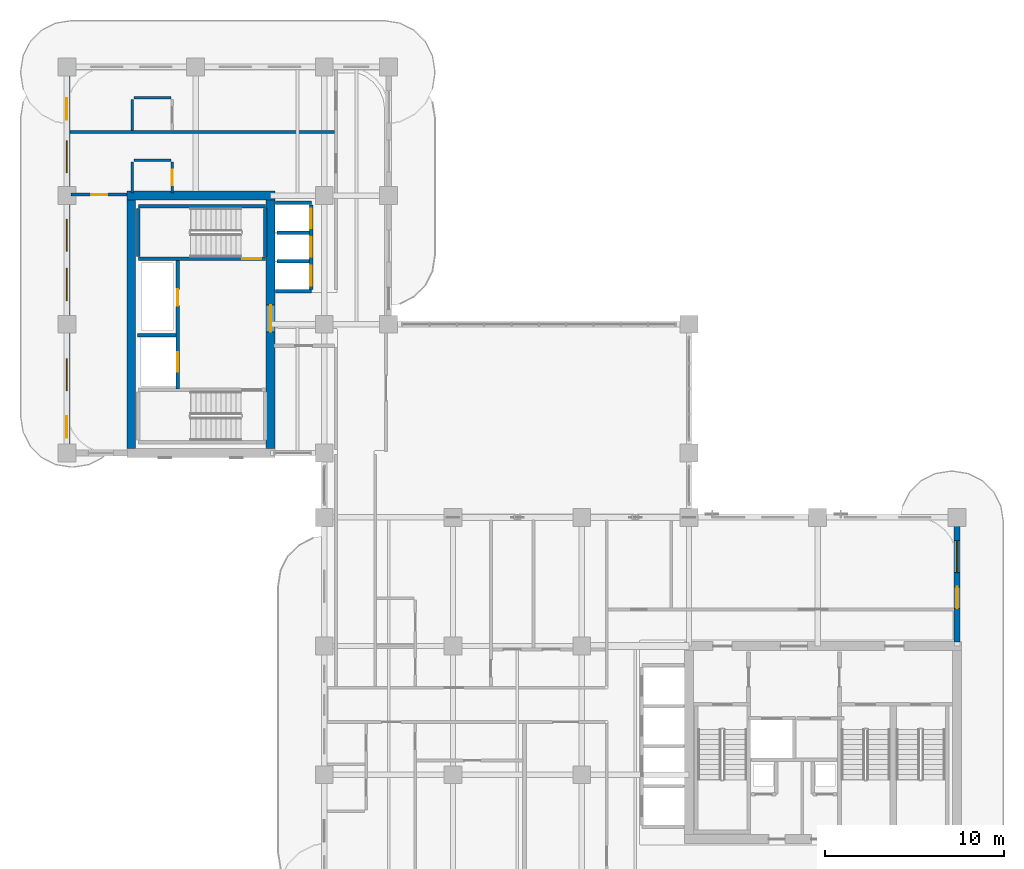
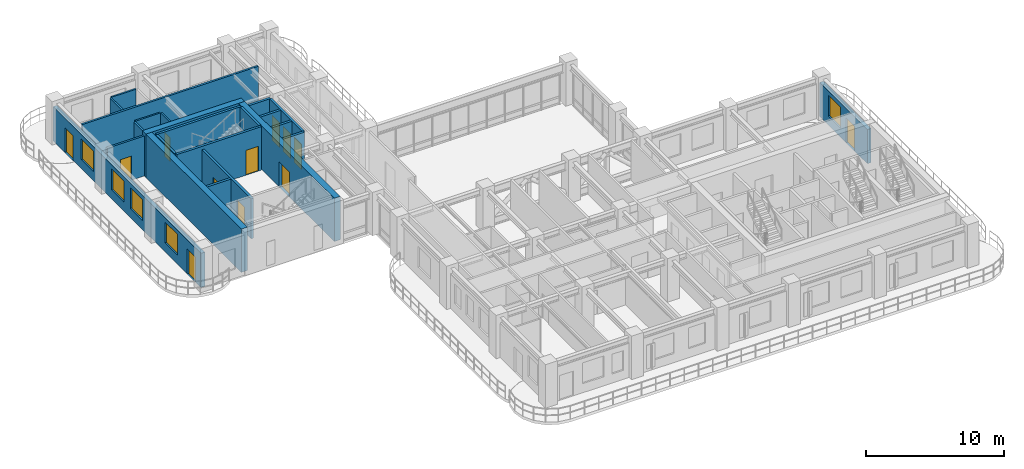
# One storey, part 12 of 17: 23 walls, 12 doors, 5 windows, 17 openings.
"""IFC4 building model written with IfcOpenShell, lengths in metres."""

from ifc_helpers import new_model, si_unit, derived_unit, direction, frame, frame_2d, origin, place, context, subcontext, project, spatial, rectangle, extrude, source, transform, mapped, material, layer, layer_set, type_object, type_shapes, element, fill, save


model = new_model("IFC4")

# Units and contexts
model_context = context("Model", 3, precision=1e-05, world=origin(), true_north=direction((0.0, 1.0)))
body_context = subcontext(model_context, "Body", "Model", "MODEL_VIEW")
ifc_project = project(units=[si_unit("LENGTHUNIT", "METRE"), si_unit("AREAUNIT", "SQUARE_METRE"), si_unit("VOLUMEUNIT", "CUBIC_METRE"), si_unit("PLANEANGLEUNIT", "RADIAN"), si_unit("MASSUNIT", "GRAM", prefix="KILO"), si_unit("THERMODYNAMICTEMPERATUREUNIT", "KELVIN"), si_unit("POWERUNIT", "WATT"), derived_unit("THERMALTRANSMITTANCEUNIT", [(si_unit("POWERUNIT", "WATT"), 1), (si_unit("AREAUNIT", "SQUARE_METRE"), -1), (si_unit("THERMODYNAMICTEMPERATUREUNIT", "KELVIN"), -1)])], contexts=[model_context])

# Site, building, storey
site_placement = place(None, origin())
site = spatial("IfcSite", under=ifc_project, at=site_placement, CompositionType="ELEMENT")
building_placement = place(site_placement, origin())
building = spatial("IfcBuilding", under=site, at=building_placement, Name="Zahravan Archway Hotel and Residences", CompositionType="ELEMENT")
storey_placement = place(building_placement, frame((0.0, 0.0, 192.64990234375)))
storey = spatial("IfcBuildingStorey", under=building, at=storey_placement, Name="L48", CompositionType="ELEMENT", Elevation=192.64990234375)

# Walls
ifc_material_1 = material(Name="Concrete C60/75", Category="concrete")
ifc_layer_1 = layer(ifc_material_1, 0.5, Name="Concrete C60/75", Category="concrete")
ifc_layer_set_1 = layer_set([ifc_layer_1], Name="Concrete C60/75")
wall_type_1 = type_object("IfcWallType", Name="CW-CORE-500", PredefinedType="SHEAR", material=ifc_layer_set_1)
wall_1_placement = place(storey_placement, frame((3.35009765625, 39.60009765625, 0.0), z_axis=(0.0, 0.0, 1.0), x_axis=(1.0, 0.0, 0.0)))
element("IfcWall", 1, at=wall_1_placement, inside=storey, type_object=wall_type_1, Name="L48 Core B Shear N Wall 500 mm", PredefinedType="SHEAR", context=body_context, shape_type="SweptSolid", body=[
    extrude(rectangle(XDim=8.2998046875, YDim=0.5, at=frame_2d((4.14990234375, 0.0))), origin(), (0.0, 0.0, 1.0), 3.85009765625),
])
wall_2_placement = place(storey_placement, frame((3.60009765625, 25.449951171875, 0.0), z_axis=(0.0, 0.0, 1.0), x_axis=(0.0, 1.0, 0.0)))
element("IfcWall", 2, at=wall_2_placement, inside=storey, type_object=wall_type_1, Name="L48 Core B Shear W Wall 500 mm", PredefinedType="SHEAR", context=body_context, shape_type="SweptSolid", body=[
    extrude(rectangle(XDim=13.900146484375, YDim=0.5, at=frame_2d((6.9501953125, 0.0))), origin(), (0.0, 0.0, 1.0), 3.85009765625),
])

# Wall, opening, door
wall_3_placement = place(storey_placement, frame((11.39990234375, 25.449951171875, 0.0), z_axis=(0.0, 0.0, 1.0), x_axis=(0.0, 1.0, 0.0)))
wall_3 = element("IfcWall", 3, at=wall_3_placement, inside=storey, type_object=wall_type_1, Name="L48 Core B Shear E Wall 500 mm", PredefinedType="SHEAR", context=body_context, shape_type="SweptSolid", body=[
    extrude(rectangle(XDim=13.900146484375, YDim=0.5, at=frame_2d((6.9501953125, 0.0))), origin(), (0.0, 0.0, 1.0), 3.85009765625),
])
opening_1_placement = place(wall_3_placement, frame((6.52001953125, 0.0, 0.0)))
opening_1 = element("IfcOpeningElement", 4, at=opening_1_placement, cuts=wall_3, Name="Opening FD-L1", PredefinedType="OPENING", context=body_context, shape_type="SweptSolid", body=[
    extrude(rectangle(XDim=1.5, YDim=2.199951171875, at=frame_2d((0.75, 1.10009765625))), frame((0.0, 0.260009765625, 0.0), z_axis=(0.0, -1.0, 0.0), x_axis=(1.0, 0.0, 0.0)), (0.0, 0.0, 1.0), 0.52001953125),
])
ifc_material_2 = material(Name="Fire-Rated Painted Steel", Category="steel")
door_type_1 = type_object("IfcDoorType", Name="FD-LOBBY-1500", OperationType="DOUBLE_DOOR_SINGLE_SWING", PredefinedType="DOOR", material=ifc_material_2)
shared_shape_1 = source(origin(), body_context, "Body", "SweptSolid", [
    extrude(rectangle(XDim=1.5, YDim=2.199951171875, at=frame_2d((0.75, 1.10009765625))), frame((0.0, 0.02490234375, 0.0), z_axis=(0.0, -1.0, 0.0), x_axis=(1.0, 0.0, 0.0)), (0.0, 0.0, 1.0), 0.050048828125),
])
type_shapes(door_type_1, [shared_shape_1])
door_1_placement = place(opening_1_placement, origin())
door_1 = element("IfcDoor", 5, at=door_1_placement, inside=storey, type_object=door_type_1, Name="L48 Core B FSAE Lobby Door", OperationType="DOUBLE_DOOR_SINGLE_SWING", OverallHeight=2.199951171875, OverallWidth=1.5, PredefinedType="DOOR", context=body_context, shape_type="MappedRepresentation", body=[
    mapped(shared_shape_1, transform((0.0, 0.0, 0.0), scale=1.0)),
])
fill(opening_1, door_1)

# Wall, openings, door, window
ifc_material_3 = material(Name="Agra Buff Sandstone & Insulated Backup", Category="masonry")
ifc_layer_2 = layer(ifc_material_3, 0.320068359375, Name="Agra Buff Sandstone & Insulated Backup", Category="masonry")
ifc_layer_set_2 = layer_set([ifc_layer_2], Name="Agra Buff Sandstone & Insulated Backup")
wall_type_2 = type_object("IfcWallType", Name="EW-SAND-320", PredefinedType="SOLIDWALL", material=ifc_layer_set_2)
wall_4_placement = place(storey_placement, frame((49.800048828125, 14.6201171875, 0.0), z_axis=(0.0, 0.0, 1.0), x_axis=(0.0, 1.0, 0.0)))
wall_4 = element("IfcWall", 6, at=wall_4_placement, inside=storey, type_object=wall_type_2, Name="L48 Exterior Sandstone Wall WA-EN", PredefinedType="SOLIDWALL", context=body_context, shape_type="SweptSolid", body=[
    extrude(rectangle(XDim=6.929931640625, YDim=0.320068359375, at=frame_2d((3.46484375, 0.0))), origin(), (0.0, 0.0, 1.0), 3.03515625),
])
opening_2_placement = place(wall_4_placement, frame((1.888916015625, 0.0, 0.0)))
opening_2 = element("IfcOpeningElement", 7, at=opening_2_placement, cuts=wall_4, Name="Opening ED-BL1", PredefinedType="OPENING", context=body_context, shape_type="SweptSolid", body=[
    extrude(rectangle(XDim=1.199951171875, YDim=2.199951171875, at=frame_2d((0.60009765625, 1.10009765625))), frame((0.0, 0.169921875, 0.0), z_axis=(0.0, -1.0, 0.0), x_axis=(1.0, 0.0, 0.0)), (0.0, 0.0, 1.0), 0.340087890625),
])
opening_3_placement = place(wall_4_placement, frame((3.884033203125, 0.0, 0.800048828125)))
opening_3 = element("IfcOpeningElement", 8, at=opening_3_placement, cuts=wall_4, Name="Opening W-02", PredefinedType="OPENING", context=body_context, shape_type="SweptSolid", body=[
    extrude(rectangle(XDim=1.800048828125, YDim=1.85009765625, at=frame_2d((0.89990234375, 0.925048828125))), frame((0.0, 0.169921875, 0.0), z_axis=(0.0, -1.0, 0.0), x_axis=(1.0, 0.0, 0.0)), (0.0, 0.0, 1.0), 0.340087890625),
])
ifc_material_4 = material(Name="Bronze-Anodized Glazed Aluminium", Category="aluminium")
door_type_2 = type_object("IfcDoorType", Name="ED-BALC-1200", OperationType="SLIDING_TO_LEFT", PredefinedType="DOOR", material=ifc_material_4)
shared_shape_2 = source(origin(), body_context, "Body", "SweptSolid", [
    extrude(rectangle(XDim=1.199951171875, YDim=2.199951171875, at=frame_2d((0.60009765625, 1.10009765625))), frame((0.0, 0.02490234375, 0.0), z_axis=(0.0, -1.0, 0.0), x_axis=(1.0, 0.0, 0.0)), (0.0, 0.0, 1.0), 0.050048828125),
])
type_shapes(door_type_2, [shared_shape_2])
door_2_placement = place(opening_2_placement, origin())
door_2 = element("IfcDoor", 9, at=door_2_placement, inside=storey, type_object=door_type_2, Name="L48 Outdoor Access Sliding Door (SLB-BAL-L48-EA)", OperationType="SLIDING_TO_LEFT", OverallHeight=2.199951171875, OverallWidth=1.199951171875, PredefinedType="DOOR", context=body_context, shape_type="MappedRepresentation", body=[
    mapped(shared_shape_2, transform((0.0, 0.0, 0.0), scale=1.0)),
])
fill(opening_2, door_2)
ifc_material_5 = material(Name="Bronze-Anodized Thermal-Break Aluminium & Low-E Glass", Category="aluminium")
window_type = type_object("IfcWindowType", Name="WIN-TWR-1800", PartitioningType="DOUBLE_PANEL_VERTICAL", PredefinedType="WINDOW", material=ifc_material_5)
shared_shape_3 = source(origin(), body_context, "Body", "SweptSolid", [
    extrude(rectangle(XDim=1.800048828125, YDim=1.85009765625, at=frame_2d((0.89990234375, 0.925048828125))), frame((0.0, 0.030029296875, 0.0), z_axis=(0.0, -1.0, 0.0), x_axis=(1.0, 0.0, 0.0)), (0.0, 0.0, 1.0), 0.06005859375),
])
type_shapes(window_type, [shared_shape_3])
window_1_placement = place(opening_3_placement, origin())
window_1 = element("IfcWindow", 10, at=window_1_placement, inside=storey, type_object=window_type, Name="L48 Loggia Window 10", OverallHeight=1.85009765625, OverallWidth=1.800048828125, PartitioningType="DOUBLE_PANEL_VERTICAL", PredefinedType="WINDOW", context=body_context, shape_type="MappedRepresentation", body=[
    mapped(shared_shape_3, transform((0.0, 0.0, 0.0), scale=1.0)),
])
fill(opening_3, window_1)

# Wall, openings, doors, windows
wall_5_placement = place(storey_placement, frame((0.0, 25.25, 0.0), z_axis=(0.0, 0.0, 1.0), x_axis=(0.0, 1.0, 0.0)))
wall_5 = element("IfcWall", 11, at=wall_5_placement, inside=storey, type_object=wall_type_2, Name="L48 Exterior Sandstone Wall WB-W", PredefinedType="SOLIDWALL", context=body_context, shape_type="SweptSolid", body=[
    extrude(rectangle(XDim=21.5, YDim=0.320068359375, at=frame_2d((10.75, 0.0))), origin(), (0.0, 0.0, 1.0), 3.03515625),
])
opening_4_placement = place(wall_5_placement, frame((18.60693359375, 0.0, 0.0)))
opening_4 = element("IfcOpeningElement", 12, at=opening_4_placement, cuts=wall_5, Name="Opening ED-BL1", PredefinedType="OPENING", context=body_context, shape_type="SweptSolid", body=[
    extrude(rectangle(XDim=1.199951171875, YDim=2.199951171875, at=frame_2d((0.60009765625, 1.10009765625))), frame((0.0, 0.169921875, 0.0), z_axis=(0.0, -1.0, 0.0), x_axis=(1.0, 0.0, 0.0)), (0.0, 0.0, 1.0), 0.340087890625),
])
opening_5_placement = place(wall_5_placement, frame((0.800048828125, 0.0, 0.0)))
opening_5 = element("IfcOpeningElement", 13, at=opening_5_placement, cuts=wall_5, Name="Opening ED-BL1", PredefinedType="OPENING", context=body_context, shape_type="SweptSolid", body=[
    extrude(rectangle(XDim=1.199951171875, YDim=2.199951171875, at=frame_2d((0.60009765625, 1.10009765625))), frame((0.0, 0.169921875, 0.0), z_axis=(0.0, -1.0, 0.0), x_axis=(1.0, 0.0, 0.0)), (0.0, 0.0, 1.0), 0.340087890625),
])
opening_6_placement = place(wall_5_placement, frame((3.425048828125, 0.0, 0.800048828125)))
opening_6 = element("IfcOpeningElement", 14, at=opening_6_placement, cuts=wall_5, Name="Opening W-02", PredefinedType="OPENING", context=body_context, shape_type="SweptSolid", body=[
    extrude(rectangle(XDim=1.800048828125, YDim=1.85009765625, at=frame_2d((0.89990234375, 0.925048828125))), frame((0.0, 0.169921875, 0.0), z_axis=(0.0, -1.0, 0.0), x_axis=(1.0, 0.0, 0.0)), (0.0, 0.0, 1.0), 0.340087890625),
])
opening_7_placement = place(wall_5_placement, frame((8.47509765625, 0.0, 0.800048828125)))
opening_7 = element("IfcOpeningElement", 15, at=opening_7_placement, cuts=wall_5, Name="Opening W-02", PredefinedType="OPENING", context=body_context, shape_type="SweptSolid", body=[
    extrude(rectangle(XDim=1.800048828125, YDim=1.85009765625, at=frame_2d((0.89990234375, 0.925048828125))), frame((0.0, 0.169921875, 0.0), z_axis=(0.0, -1.0, 0.0), x_axis=(1.0, 0.0, 0.0)), (0.0, 0.0, 1.0), 0.340087890625),
])
opening_8_placement = place(wall_5_placement, frame((11.22509765625, 0.0, 0.800048828125)))
opening_8 = element("IfcOpeningElement", 16, at=opening_8_placement, cuts=wall_5, Name="Opening W-02", PredefinedType="OPENING", context=body_context, shape_type="SweptSolid", body=[
    extrude(rectangle(XDim=1.800048828125, YDim=1.85009765625, at=frame_2d((0.89990234375, 0.925048828125))), frame((0.0, 0.169921875, 0.0), z_axis=(0.0, -1.0, 0.0), x_axis=(1.0, 0.0, 0.0)), (0.0, 0.0, 1.0), 0.340087890625),
])
opening_9_placement = place(wall_5_placement, frame((15.62109375, 0.0, 0.800048828125)))
opening_9 = element("IfcOpeningElement", 17, at=opening_9_placement, cuts=wall_5, Name="Opening W-02", PredefinedType="OPENING", context=body_context, shape_type="SweptSolid", body=[
    extrude(rectangle(XDim=1.800048828125, YDim=1.85009765625, at=frame_2d((0.89990234375, 0.925048828125))), frame((0.0, 0.169921875, 0.0), z_axis=(0.0, -1.0, 0.0), x_axis=(1.0, 0.0, 0.0)), (0.0, 0.0, 1.0), 0.340087890625),
])
door_3_placement = place(opening_4_placement, origin())
door_3 = element("IfcDoor", 18, at=door_3_placement, inside=storey, type_object=door_type_2, Name="L48 Outdoor Access Sliding Door (SLB-BAL-L48-NB)", OperationType="SLIDING_TO_LEFT", OverallHeight=2.199951171875, OverallWidth=1.199951171875, PredefinedType="DOOR", context=body_context, shape_type="MappedRepresentation", body=[
    mapped(shared_shape_2, transform((0.0, 0.0, 0.0), scale=1.0)),
])
fill(opening_4, door_3)
door_4_placement = place(opening_5_placement, origin())
door_4 = element("IfcDoor", 19, at=door_4_placement, inside=storey, type_object=door_type_2, Name="L48 Outdoor Access Sliding Door (SLB-BAL-L48-WB)", OperationType="SLIDING_TO_LEFT", OverallHeight=2.199951171875, OverallWidth=1.199951171875, PredefinedType="DOOR", context=body_context, shape_type="MappedRepresentation", body=[
    mapped(shared_shape_2, transform((0.0, 0.0, 0.0), scale=1.0)),
])
fill(opening_5, door_4)
window_2_placement = place(opening_6_placement, origin())
window_2 = element("IfcWindow", 20, at=window_2_placement, inside=storey, type_object=window_type, Name="L48 Loggia Window 21", OverallHeight=1.85009765625, OverallWidth=1.800048828125, PartitioningType="DOUBLE_PANEL_VERTICAL", PredefinedType="WINDOW", context=body_context, shape_type="MappedRepresentation", body=[
    mapped(shared_shape_3, transform((0.0, 0.0, 0.0), scale=1.0)),
])
fill(opening_6, window_2)
window_3_placement = place(opening_7_placement, origin())
window_3 = element("IfcWindow", 21, at=window_3_placement, inside=storey, type_object=window_type, Name="L48 Loggia Window 22", OverallHeight=1.85009765625, OverallWidth=1.800048828125, PartitioningType="DOUBLE_PANEL_VERTICAL", PredefinedType="WINDOW", context=body_context, shape_type="MappedRepresentation", body=[
    mapped(shared_shape_3, transform((0.0, 0.0, 0.0), scale=1.0)),
])
fill(opening_7, window_3)
window_4_placement = place(opening_8_placement, origin())
window_4 = element("IfcWindow", 22, at=window_4_placement, inside=storey, type_object=window_type, Name="L48 Loggia Window 23", OverallHeight=1.85009765625, OverallWidth=1.800048828125, PartitioningType="DOUBLE_PANEL_VERTICAL", PredefinedType="WINDOW", context=body_context, shape_type="MappedRepresentation", body=[
    mapped(shared_shape_3, transform((0.0, 0.0, 0.0), scale=1.0)),
])
fill(opening_8, window_4)
window_5_placement = place(opening_9_placement, origin())
window_5 = element("IfcWindow", 23, at=window_5_placement, inside=storey, type_object=window_type, Name="L48 Loggia Window 24", OverallHeight=1.85009765625, OverallWidth=1.800048828125, PartitioningType="DOUBLE_PANEL_VERTICAL", PredefinedType="WINDOW", context=body_context, shape_type="MappedRepresentation", body=[
    mapped(shared_shape_3, transform((0.0, 0.0, 0.0), scale=1.0)),
])
fill(opening_9, window_5)

# Wall, openings, doors
ifc_material_6 = material(Name="Fire-Rated Gypsum & Concrete Block", Category="concrete")
ifc_layer_3 = layer(ifc_material_6, 0.199951171875, Name="Fire-Rated Gypsum & Concrete Block", Category="concrete")
ifc_layer_set_3 = layer_set([ifc_layer_3], Name="Fire-Rated Gypsum & Concrete Block")
wall_type_3 = type_object("IfcWallType", Name="PW-SHAFT-200", PredefinedType="PARTITIONING", material=ifc_layer_set_3)
wall_6_placement = place(storey_placement, frame((6.199951171875, 28.7900390625, 0.0), z_axis=(0.0, 0.0, 1.0), x_axis=(0.0, 1.0, 0.0)))
wall_6 = element("IfcWall", 24, at=wall_6_placement, inside=storey, type_object=wall_type_3, Name="L48 Partition CB-FL3E", PredefinedType="PARTITIONING", context=body_context, shape_type="SweptSolid", body=[
    extrude(rectangle(XDim=7.219970703125, YDim=0.199951171875, at=frame_2d((3.60986328125, 0.0))), origin(), (0.0, 0.0, 1.0), 3.550048828125),
])
opening_10_placement = place(wall_6_placement, frame((4.659912109375, 0.0, 0.0)))
opening_10 = element("IfcOpeningElement", 25, at=opening_10_placement, cuts=wall_6, Name="Opening FD-R1", PredefinedType="OPENING", context=body_context, shape_type="SweptSolid", body=[
    extrude(rectangle(XDim=0.89990234375, YDim=2.10009765625, at=frame_2d((0.449951171875, 1.050048828125))), frame((0.0, 0.10986328125, 0.0), z_axis=(0.0, -1.0, 0.0), x_axis=(1.0, 0.0, 0.0)), (0.0, 0.0, 1.0), 0.219970703125),
])
opening_11_placement = place(wall_6_placement, frame((0.9599609375, 0.0, 0.0)))
opening_11 = element("IfcOpeningElement", 26, at=opening_11_placement, cuts=wall_6, Name="Opening LD", PredefinedType="OPENING", context=body_context, shape_type="SweptSolid", body=[
    extrude(rectangle(XDim=1.10009765625, YDim=2.199951171875, at=frame_2d((0.550048828125, 1.10009765625))), frame((0.0, 0.10986328125, 0.0), z_axis=(0.0, -1.0, 0.0), x_axis=(1.0, 0.0, 0.0)), (0.0, 0.0, 1.0), 0.219970703125),
])
door_type_3 = type_object("IfcDoorType", Name="FD-RISER-900", OperationType="NOTDEFINED", PredefinedType="DOOR", material=ifc_material_2)
shared_shape_4 = source(origin(), body_context, "Body", "SweptSolid", [
    extrude(rectangle(XDim=0.89990234375, YDim=2.10009765625, at=frame_2d((0.449951171875, 1.050048828125))), frame((0.0, 0.02490234375, 0.0), z_axis=(0.0, -1.0, 0.0), x_axis=(1.0, 0.0, 0.0)), (0.0, 0.0, 1.0), 0.050048828125),
])
type_shapes(door_type_3, [shared_shape_4])
door_5_placement = place(opening_10_placement, origin())
door_5 = element("IfcDoor", 27, at=door_5_placement, inside=storey, type_object=door_type_3, Name="L48 Core B Riser Door", OperationType="SINGLE_SWING_LEFT", OverallHeight=2.10009765625, OverallWidth=0.89990234375, PredefinedType="DOOR", context=body_context, shape_type="MappedRepresentation", body=[
    mapped(shared_shape_4, transform((0.0, 0.0, 0.0), scale=1.0)),
])
fill(opening_10, door_5)
ifc_material_7 = material(Name="Brushed Stainless Steel", Category="steel")
door_type_4 = type_object("IfcDoorType", Name="DR-LIFT-LD", OperationType="SLIDING_TO_LEFT", PredefinedType="DOOR", material=ifc_material_7)
shared_shape_5 = source(origin(), body_context, "Body", "SweptSolid", [
    extrude(rectangle(XDim=1.10009765625, YDim=2.199951171875, at=frame_2d((0.550048828125, 1.10009765625))), frame((0.0, 0.02490234375, 0.0), z_axis=(0.0, -1.0, 0.0), x_axis=(1.0, 0.0, 0.0)), (0.0, 0.0, 1.0), 0.050048828125),
])
type_shapes(door_type_4, [shared_shape_5])
door_6_placement = place(opening_11_placement, origin())
door_6 = element("IfcDoor", 28, at=door_6_placement, inside=storey, type_object=door_type_4, Name="L48 Lift FL-3 Sliding Landing Door", OperationType="SLIDING_TO_LEFT", OverallHeight=2.199951171875, OverallWidth=1.10009765625, PredefinedType="DOOR", context=body_context, shape_type="MappedRepresentation", body=[
    mapped(shared_shape_5, transform((0.0, 0.0, 0.0), scale=1.0)),
])
fill(opening_11, door_6)

# Walls
wall_7_placement = place(storey_placement, frame((3.9599609375, 31.780029296875, 0.0), z_axis=(0.0, 0.0, 1.0), x_axis=(1.0, 0.0, 0.0)))
element("IfcWall", 29, at=wall_7_placement, inside=storey, type_object=wall_type_3, Name="L48 Partition CB-FL3N", PredefinedType="PARTITIONING", context=body_context, shape_type="SweptSolid", body=[
    extrude(rectangle(XDim=2.130126953125, YDim=0.199951171875, at=frame_2d((1.06494140625, 0.0))), origin(), (0.0, 0.0, 1.0), 3.550048828125),
])
for number, where, z_axis, x_axis, name in (
    (30, (11.659912109375, 34.25, 0.0), (0.0, 0.0, 1.0), (1.0, 0.0, 0.0), "L48 Partition B2-S"),
    (31, (11.659912109375, 39.18994140625, 0.0), (0.0, 0.0, 1.0), (1.0, 0.0, 0.0), "L48 Partition B2-N"),
):
    element("IfcWall", number, at=place(storey_placement, frame(where, z_axis=z_axis, x_axis=x_axis)), inside=storey, type_object=wall_type_3, Name=name, PredefinedType="PARTITIONING", context=body_context, shape_type="SweptSolid", body=[
        extrude(rectangle(XDim=2.010009765625, YDim=0.199951171875, at=frame_2d((1.0048828125, 0.0))), origin(), (0.0, 0.0, 1.0), 3.550048828125),
    ])

# Wall, openings, doors
wall_8_placement = place(storey_placement, frame((13.679931640625, 34.360107421875, 0.0), z_axis=(0.0, 0.0, 1.0), x_axis=(0.0, 1.0, 0.0)))
wall_8 = element("IfcWall", 32, at=wall_8_placement, inside=storey, type_object=wall_type_3, Name="L48 Partition B2-E", PredefinedType="PARTITIONING", context=body_context, shape_type="SweptSolid", body=[
    extrude(rectangle(XDim=4.719970703125, YDim=0.199951171875, at=frame_2d((2.35986328125, 0.0))), origin(), (0.0, 0.0, 1.0), 3.550048828125),
])
opening_12_placement = place(wall_8_placement, frame((0.2099609375, 0.0, 0.0)))
opening_12 = element("IfcOpeningElement", 33, at=opening_12_placement, cuts=wall_8, Name="Opening LD", PredefinedType="OPENING", context=body_context, shape_type="SweptSolid", body=[
    extrude(rectangle(XDim=1.10009765625, YDim=2.199951171875, at=frame_2d((0.550048828125, 1.10009765625))), frame((0.0, 0.10986328125, 0.0), z_axis=(0.0, -1.0, 0.0), x_axis=(1.0, 0.0, 0.0)), (0.0, 0.0, 1.0), 0.219970703125),
])
opening_13_placement = place(wall_8_placement, frame((1.81005859375, 0.0, 0.0)))
opening_13 = element("IfcOpeningElement", 34, at=opening_13_placement, cuts=wall_8, Name="Opening LD", PredefinedType="OPENING", context=body_context, shape_type="SweptSolid", body=[
    extrude(rectangle(XDim=1.10009765625, YDim=2.199951171875, at=frame_2d((0.550048828125, 1.10009765625))), frame((0.0, 0.10986328125, 0.0), z_axis=(0.0, -1.0, 0.0), x_axis=(1.0, 0.0, 0.0)), (0.0, 0.0, 1.0), 0.219970703125),
])
opening_14_placement = place(wall_8_placement, frame((3.409912109375, 0.0, 0.0)))
opening_14 = element("IfcOpeningElement", 35, at=opening_14_placement, cuts=wall_8, Name="Opening LD", PredefinedType="OPENING", context=body_context, shape_type="SweptSolid", body=[
    extrude(rectangle(XDim=1.10009765625, YDim=2.199951171875, at=frame_2d((0.550048828125, 1.10009765625))), frame((0.0, 0.10986328125, 0.0), z_axis=(0.0, -1.0, 0.0), x_axis=(1.0, 0.0, 0.0)), (0.0, 0.0, 1.0), 0.219970703125),
])
door_7_placement = place(opening_12_placement, origin())
door_7 = element("IfcDoor", 36, at=door_7_placement, inside=storey, type_object=door_type_4, Name="L48 Lift LP-4 Sliding Landing Door", OperationType="SLIDING_TO_LEFT", OverallHeight=2.199951171875, OverallWidth=1.10009765625, PredefinedType="DOOR", context=body_context, shape_type="MappedRepresentation", body=[
    mapped(shared_shape_5, transform((0.0, 0.0, 0.0), scale=1.0)),
])
fill(opening_12, door_7)
door_8_placement = place(opening_13_placement, origin())
door_8 = element("IfcDoor", 37, at=door_8_placement, inside=storey, type_object=door_type_4, Name="L48 Lift LP-5 Sliding Landing Door", OperationType="SLIDING_TO_LEFT", OverallHeight=2.199951171875, OverallWidth=1.10009765625, PredefinedType="DOOR", context=body_context, shape_type="MappedRepresentation", body=[
    mapped(shared_shape_5, transform((0.0, 0.0, 0.0), scale=1.0)),
])
fill(opening_13, door_8)
door_9_placement = place(opening_14_placement, origin())
door_9 = element("IfcDoor", 38, at=door_9_placement, inside=storey, type_object=door_type_4, Name="L48 Lift LP-6 Sliding Landing Door", OperationType="SLIDING_TO_LEFT", OverallHeight=2.199951171875, OverallWidth=1.10009765625, PredefinedType="DOOR", context=body_context, shape_type="MappedRepresentation", body=[
    mapped(shared_shape_5, transform((0.0, 0.0, 0.0), scale=1.0)),
])
fill(opening_14, door_9)

# Walls
for number, where, z_axis, x_axis, name in (
    (39, (11.760009765625, 35.919921875, 0.0), (0.0, 0.0, 1.0), (1.0, 0.0, 0.0), "L48 Partition B2-D"),
    (40, (11.760009765625, 37.52001953125, 0.0), (0.0, 0.0, 1.0), (1.0, 0.0, 0.0), "L48 Partition B2-D"),
):
    element("IfcWall", number, at=place(storey_placement, frame(where, z_axis=z_axis, x_axis=x_axis)), inside=storey, type_object=wall_type_3, Name=name, PredefinedType="PARTITIONING", context=body_context, shape_type="SweptSolid", body=[
        extrude(rectangle(XDim=1.81005859375, YDim=0.199951171875, at=frame_2d((0.905029296875, 0.0))), origin(), (0.0, 0.0, 1.0), 3.550048828125),
    ])

# Wall, opening, door
ifc_material_8 = material(Name="Acoustic Stud Partition")
ifc_layer_4 = layer(ifc_material_8, 0.169921875, Name="Acoustic Stud Partition")
ifc_layer_set_4 = layer_set([ifc_layer_4], Name="Acoustic Stud Partition")
wall_type_4 = type_object("IfcWallType", Name="PW-UNIT-170", PredefinedType="PARTITIONING", material=ifc_layer_set_4)
wall_9_placement = place(storey_placement, frame((0.239990234375, 39.64990234375, 0.0), z_axis=(0.0, 0.0, 1.0), x_axis=(1.0, 0.0, 0.0)))
wall_9 = element("IfcWall", 41, at=wall_9_placement, inside=storey, type_object=wall_type_4, Name="L48 Partition WBW-N", PredefinedType="PARTITIONING", context=body_context, shape_type="SweptSolid", body=[
    extrude(rectangle(XDim=3.1201171875, YDim=0.169921875, at=frame_2d((1.56005859375, 0.0))), origin(), (0.0, 0.0, 1.0), 3.550048828125),
])
opening_15_placement = place(wall_9_placement, frame((1.110107421875, 0.0, 0.0)))
opening_15 = element("IfcOpeningElement", 42, at=opening_15_placement, cuts=wall_9, Name="Opening D-I2", PredefinedType="OPENING", context=body_context, shape_type="SweptSolid", body=[
    extrude(rectangle(XDim=0.89990234375, YDim=2.14990234375, at=frame_2d((0.449951171875, 1.074951171875))), frame((0.0, 0.094970703125, 0.0), z_axis=(0.0, -1.0, 0.0), x_axis=(1.0, 0.0, 0.0)), (0.0, 0.0, 1.0), 0.18994140625),
])
ifc_material_9 = material(Name="Hardwood Veneer Timber", Category="wood")
door_type_5 = type_object("IfcDoorType", Name="ID-INT-900", OperationType="NOTDEFINED", PredefinedType="DOOR", material=ifc_material_9)
shared_shape_6 = source(origin(), body_context, "Body", "SweptSolid", [
    extrude(rectangle(XDim=0.89990234375, YDim=2.14990234375, at=frame_2d((0.449951171875, 1.074951171875))), frame((0.0, 0.02490234375, 0.0), z_axis=(0.0, -1.0, 0.0), x_axis=(1.0, 0.0, 0.0)), (0.0, 0.0, 1.0), 0.050048828125),
])
type_shapes(door_type_5, [shared_shape_6])
door_10_placement = place(opening_15_placement, origin())
door_10 = element("IfcDoor", 43, at=door_10_placement, inside=storey, type_object=door_type_5, Name="L48 West Loggia Salon Door", OperationType="SINGLE_SWING_RIGHT", OverallHeight=2.14990234375, OverallWidth=0.89990234375, PredefinedType="DOOR", context=body_context, shape_type="MappedRepresentation", body=[
    mapped(shared_shape_6, transform((0.0, 0.0, 0.0), scale=1.0)),
])
fill(opening_15, door_10)

# Walls
wall_10_placement = place(storey_placement, frame((0.16796875, 43.14990234375, 0.0), z_axis=(0.0, 0.0, 1.0), x_axis=(1.0, 0.0, 0.0)))
element("IfcWall", 44, at=wall_10_placement, inside=storey, type_object=wall_type_4, Name="L48 Partition WBN-M0", PredefinedType="PARTITIONING", context=body_context, shape_type="SweptSolid", body=[
    extrude(rectangle(XDim=14.7919921875, YDim=0.169921875, at=frame_2d((7.39599609375, 0.0))), origin(), (0.0, 0.0, 1.0), 3.550048828125),
])
ifc_material_10 = material(Name="Moisture-Resistant Blockwork", Category="masonry")
ifc_layer_5 = layer(ifc_material_10, 0.139892578125, Name="Moisture-Resistant Blockwork", Category="masonry")
ifc_layer_set_5 = layer_set([ifc_layer_5], Name="Moisture-Resistant Blockwork")
wall_type_5 = type_object("IfcWallType", Name="PW-WET-140", PredefinedType="PARTITIONING", material=ifc_layer_set_5)
wall_11_placement = place(storey_placement, frame((3.64990234375, 39.739990234375, 0.0), z_axis=(0.0, 0.0, 1.0), x_axis=(0.0, 1.0, 0.0)))
element("IfcWall", 45, at=wall_11_placement, inside=storey, type_object=wall_type_5, Name="L48 Partition HKB-VL76", PredefinedType="PARTITIONING", context=body_context, shape_type="SweptSolid", body=[
    extrude(rectangle(XDim=1.7451171875, YDim=0.139892578125, at=frame_2d((0.87255859375, 0.0))), origin(), (0.0, 0.0, 1.0), 3.550048828125),
])
wall_12_placement = place(storey_placement, frame((3.739990234375, 41.574951171875, 0.0), z_axis=(0.0, 0.0, 1.0), x_axis=(1.0, 0.0, 0.0)))
element("IfcWall", 46, at=wall_12_placement, inside=storey, type_object=wall_type_5, Name="L48 Partition HKB-H76", PredefinedType="PARTITIONING", context=body_context, shape_type="SweptSolid", body=[
    extrude(rectangle(XDim=2.070068359375, YDim=0.139892578125, at=frame_2d((1.03515625, 0.0))), origin(), (0.0, 0.0, 1.0), 3.550048828125),
])

# Wall, opening, door
wall_13_placement = place(storey_placement, frame((5.89990234375, 39.739990234375, 0.0), z_axis=(0.0, 0.0, 1.0), x_axis=(0.0, 1.0, 0.0)))
wall_13 = element("IfcWall", 47, at=wall_13_placement, inside=storey, type_object=wall_type_5, Name="L48 Partition HKB-V76", PredefinedType="PARTITIONING", context=body_context, shape_type="SweptSolid", body=[
    extrude(rectangle(XDim=1.7451171875, YDim=0.139892578125, at=frame_2d((0.87255859375, 0.0))), origin(), (0.0, 0.0, 1.0), 3.550048828125),
])
opening_16_placement = place(wall_13_placement, frame((0.447509765625, 0.0, 0.0)))
opening_16 = element("IfcOpeningElement", 48, at=opening_16_placement, cuts=wall_13, Name="Opening D-B1", PredefinedType="OPENING", context=body_context, shape_type="SweptSolid", body=[
    extrude(rectangle(XDim=0.85009765625, YDim=2.10009765625, at=frame_2d((0.425048828125, 1.050048828125))), frame((0.0, 0.080078125, 0.0), z_axis=(0.0, -1.0, 0.0), x_axis=(1.0, 0.0, 0.0)), (0.0, 0.0, 1.0), 0.159912109375),
])
door_type_6 = type_object("IfcDoorType", Name="ID-BATH-850", OperationType="NOTDEFINED", PredefinedType="DOOR", material=ifc_material_9)
shared_shape_7 = source(origin(), body_context, "Body", "SweptSolid", [
    extrude(rectangle(XDim=0.85009765625, YDim=2.10009765625, at=frame_2d((0.425048828125, 1.050048828125))), frame((0.0, 0.02490234375, 0.0), z_axis=(0.0, -1.0, 0.0), x_axis=(1.0, 0.0, 0.0)), (0.0, 0.0, 1.0), 0.050048828125),
])
type_shapes(door_type_6, [shared_shape_7])
door_11_placement = place(opening_16_placement, origin())
door_11 = element("IfcDoor", 49, at=door_11_placement, inside=storey, type_object=door_type_6, Name="L48 Guestroom 76 En-Suite Door", OperationType="SINGLE_SWING_LEFT", OverallHeight=2.10009765625, OverallWidth=0.85009765625, PredefinedType="DOOR", context=body_context, shape_type="MappedRepresentation", body=[
    mapped(shared_shape_7, transform((0.0, 0.0, 0.0), scale=1.0)),
])
fill(opening_16, door_11)

# Walls
wall_14_placement = place(storey_placement, frame((3.64990234375, 43.239990234375, 0.0), z_axis=(0.0, 0.0, 1.0), x_axis=(0.0, 1.0, 0.0)))
element("IfcWall", 50, at=wall_14_placement, inside=storey, type_object=wall_type_5, Name="L48 Partition HKB-VL77", PredefinedType="PARTITIONING", context=body_context, shape_type="SweptSolid", body=[
    extrude(rectangle(XDim=1.7451171875, YDim=0.139892578125, at=frame_2d((0.87255859375, 0.0))), origin(), (0.0, 0.0, 1.0), 3.550048828125),
])
wall_15_placement = place(storey_placement, frame((3.739990234375, 45.074951171875, 0.0), z_axis=(0.0, 0.0, 1.0), x_axis=(1.0, 0.0, 0.0)))
element("IfcWall", 51, at=wall_15_placement, inside=storey, type_object=wall_type_5, Name="L48 Partition HKB-H77", PredefinedType="PARTITIONING", context=body_context, shape_type="SweptSolid", body=[
    extrude(rectangle(XDim=2.070068359375, YDim=0.139892578125, at=frame_2d((1.03515625, 0.0))), origin(), (0.0, 0.0, 1.0), 3.550048828125),
])
ifc_material_11 = material(Name="Concrete C50/60", Category="concrete")
ifc_layer_6 = layer(ifc_material_11, 0.199951171875, Name="Concrete C50/60", Category="concrete")
ifc_layer_set_6 = layer_set([ifc_layer_6], Name="Concrete C50/60")
wall_type_6 = type_object("IfcWallType", Name="SW-STAIR-200", PredefinedType="SHEAR", material=ifc_layer_set_6)
wall_16_placement = place(storey_placement, frame((4.0, 39.0, 0.0), z_axis=(0.0, 0.0, 1.0), x_axis=(1.0, 0.0, 0.0)))
element("IfcWall", 52, at=wall_16_placement, inside=storey, type_object=wall_type_6, Name="L48 Stairwell RC Wall CB-SB2N", PredefinedType="SHEAR", context=body_context, shape_type="SweptSolid", body=[
    extrude(rectangle(XDim=7.10009765625, YDim=0.199951171875, at=frame_2d((3.550048828125, 0.0))), origin(), (0.0, 0.0, 1.0), 3.85009765625),
])
for number, where, z_axis, x_axis, name in (
    (53, (4.0, 36.179931640625, 0.0), (0.0, 0.0, 1.0), (0.0, 1.0, 0.0), "L48 Stairwell RC Wall CB-SB2W"),
    (54, (11.10009765625, 36.179931640625, 0.0), (0.0, 0.0, 1.0), (0.0, 1.0, 0.0), "L48 Stairwell RC Wall CB-SB2E"),
):
    element("IfcWall", number, at=place(storey_placement, frame(where, z_axis=z_axis, x_axis=x_axis)), inside=storey, type_object=wall_type_6, Name=name, PredefinedType="SHEAR", context=body_context, shape_type="SweptSolid", body=[
        extrude(rectangle(XDim=2.699951171875, YDim=0.199951171875, at=frame_2d((1.35009765625, 0.0))), origin(), (0.0, 0.0, 1.0), 3.85009765625),
    ])

# Wall, opening, door
wall_17_placement = place(storey_placement, frame((4.0, 36.06005859375, 0.0), z_axis=(0.0, 0.0, 1.0), x_axis=(1.0, 0.0, 0.0)))
wall_17 = element("IfcWall", 55, at=wall_17_placement, inside=storey, type_object=wall_type_6, Name="L48 Stairwell RC Wall CB-SB2S", PredefinedType="SHEAR", context=body_context, shape_type="SweptSolid", body=[
    extrude(rectangle(XDim=7.10009765625, YDim=0.199951171875, at=frame_2d((3.550048828125, 0.0))), origin(), (0.0, 0.0, 1.0), 3.85009765625),
])
opening_17_placement = place(wall_17_placement, frame((5.81494140625, 0.0, 0.0)))
opening_17 = element("IfcOpeningElement", 56, at=opening_17_placement, cuts=wall_17, Name="Opening FD-S1", PredefinedType="OPENING", context=body_context, shape_type="SweptSolid", body=[
    extrude(rectangle(XDim=1.050048828125, YDim=2.199951171875, at=frame_2d((0.52490234375, 1.10009765625))), frame((0.0, 0.10986328125, 0.0), z_axis=(0.0, -1.0, 0.0), x_axis=(1.0, 0.0, 0.0)), (0.0, 0.0, 1.0), 0.219970703125),
])
door_type_7 = type_object("IfcDoorType", Name="FD-STAIR-1100", OperationType="NOTDEFINED", PredefinedType="DOOR", material=ifc_material_2)
shared_shape_8 = source(origin(), body_context, "Body", "SweptSolid", [
    extrude(rectangle(XDim=1.050048828125, YDim=2.199951171875, at=frame_2d((0.52490234375, 1.10009765625))), frame((0.0, 0.02490234375, 0.0), z_axis=(0.0, -1.0, 0.0), x_axis=(1.0, 0.0, 0.0)), (0.0, 0.0, 1.0), 0.050048828125),
])
type_shapes(door_type_7, [shared_shape_8])
door_12_placement = place(opening_17_placement, origin())
door_12 = element("IfcDoor", 57, at=door_12_placement, inside=storey, type_object=door_type_7, Name="L48 Stair ST-B2 Door", OperationType="SINGLE_SWING_RIGHT", OverallHeight=2.199951171875, OverallWidth=1.050048828125, PredefinedType="DOOR", context=body_context, shape_type="MappedRepresentation", body=[
    mapped(shared_shape_8, transform((0.0, 0.0, 0.0), scale=1.0)),
])
fill(opening_17, door_12)

save(model, "model.ifc")
